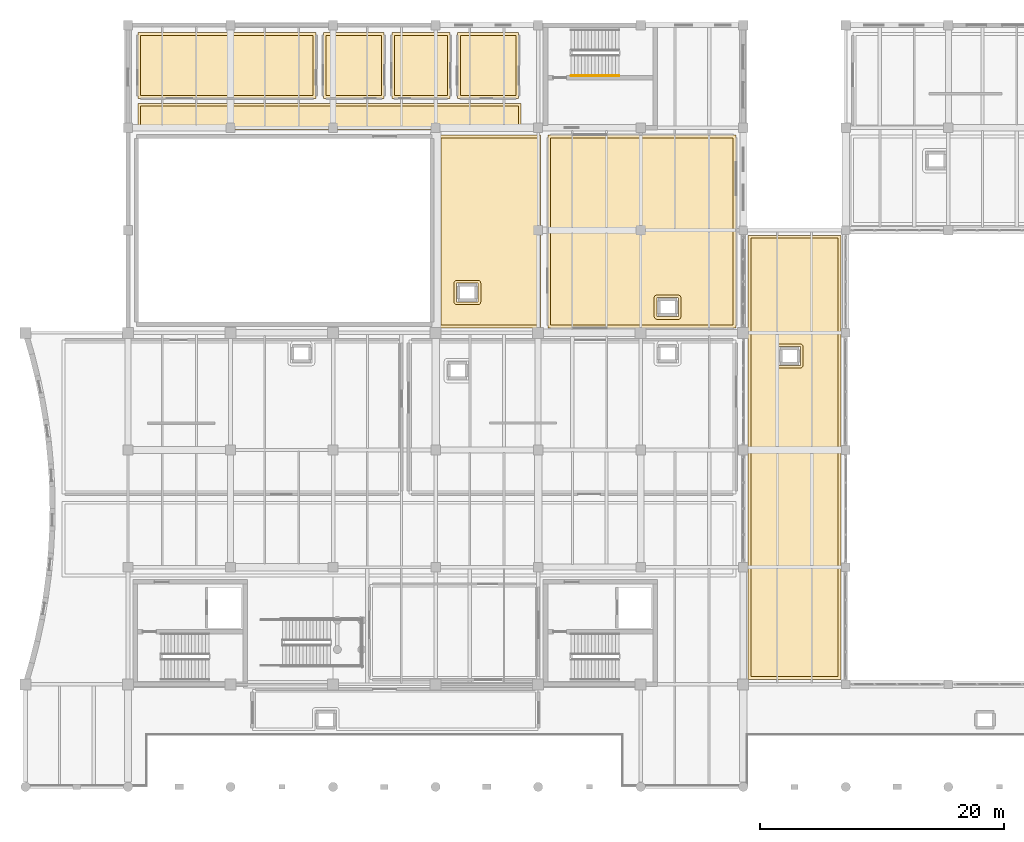
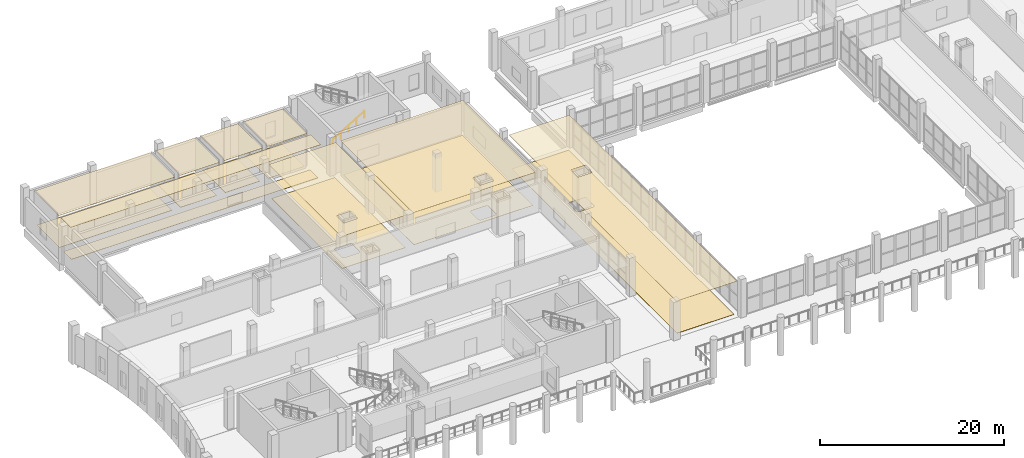
# One storey, part 59 of 66: 16 coverings, 1 railing.
"""IFC4 building model written with IfcOpenShell, lengths in metres."""

from ifc_helpers import new_model, si_unit, direction, frame, origin, origin_2d, place, context, subcontext, project, spatial, polyline, circle, outline, extrude, material, layer, layer_set, type_object, element, save


model = new_model("IFC4")

# Units and contexts
model_context = context("Model", 3, precision=1e-05, world=origin(), true_north=direction((0.0, 1.0)))
body_context = subcontext(model_context, "Body", "Model", "MODEL_VIEW")
ifc_project = project(units=[si_unit("LENGTHUNIT", "METRE"), si_unit("AREAUNIT", "SQUARE_METRE"), si_unit("VOLUMEUNIT", "CUBIC_METRE"), si_unit("PLANEANGLEUNIT", "RADIAN"), si_unit("MASSUNIT", "GRAM", prefix="KILO")], contexts=[model_context])

# Site, building, storey
site_placement = place(None, origin())
site = spatial("IfcSite", under=ifc_project, at=site_placement, CompositionType="ELEMENT")
building_placement = place(site_placement, origin())
building = spatial("IfcBuilding", under=site, at=building_placement, Name="Zulmaris Art Gallery", CompositionType="ELEMENT")
storey_placement = place(building_placement, frame((0.0, 0.0, 5.39990234375)))
storey = spatial("IfcBuildingStorey", under=building, at=storey_placement, Name="L01", CompositionType="ELEMENT", Elevation=5.39990234375)

# Coverings
ifc_material_1 = material(Name="Micro-Perforated Gypsum Acoustic Ceiling", Category="gypsum")
ifc_layer_1 = layer(ifc_material_1, 0.02490234375)
ifc_layer_set_1 = layer_set([ifc_layer_1], Name="Micro-Perforated Gypsum Acoustic Ceiling")
covering_type_1 = type_object("IfcCoveringType", Name="COV-CL01", PredefinedType="CEILING", material=ifc_layer_set_1)
covering_1_placement = place(storey_placement, frame((0.0, 0.0, 4.4501953125)))
element("IfcCovering", 1, at=covering_1_placement, inside=storey, type_object=covering_type_1, Name="L01 Learning Concourse acoustic ceiling", PredefinedType="CEILING", context=body_context, shape_type="SweptSolid", body=[
    extrude(outline(polyline([(57.81005859375, 66.590087890625), (66.18994140625, 66.590087890625), (66.18994140625, 50.81005859375), (57.81005859375, 50.81005859375), (57.81005859375, 66.590087890625)]), holes=[polyline([(59.321533203125, 52.94140625), (59.322509765625, 52.938720703125), (59.32373046875, 52.93603515625), (59.3251953125, 52.93359375), (59.326904296875, 52.93115234375), (59.3291015625, 52.928955078125), (59.3310546875, 52.927001953125), (59.33349609375, 52.92529296875), (59.3359375, 52.923828125), (59.338623046875, 52.922607421875), (59.34130859375, 52.92138671875), (59.34423828125, 52.9208984375), (59.34716796875, 52.92041015625), (59.35546875, 52.919921875), (61.044677734375, 52.919921875), (61.052978515625, 52.92041015625), (61.055908203125, 52.9208984375), (61.05859375, 52.92138671875), (61.061279296875, 52.922607421875), (61.06396484375, 52.923828125), (61.06640625, 52.92529296875), (61.06884765625, 52.927001953125), (61.071044921875, 52.928955078125), (61.072998046875, 52.93115234375), (61.07470703125, 52.93359375), (61.076171875, 52.93603515625), (61.077392578125, 52.938720703125), (61.07861328125, 52.94140625), (61.0791015625, 52.944091796875), (61.07958984375, 52.947021484375), (61.080078125, 52.955322265625), (61.080078125, 54.444580078125), (61.07958984375, 54.452880859375), (61.0791015625, 54.455810546875), (61.07861328125, 54.45849609375), (61.077392578125, 54.46142578125), (61.076171875, 54.464111328125), (61.07470703125, 54.466552734375), (61.072998046875, 54.468994140625), (61.071044921875, 54.470947265625), (61.06884765625, 54.472900390625), (61.06640625, 54.474609375), (61.06396484375, 54.476318359375), (61.061279296875, 54.4775390625), (61.05859375, 54.478515625), (61.055908203125, 54.479248046875), (61.052978515625, 54.4794921875), (61.044677734375, 54.47998046875), (59.35546875, 54.47998046875), (59.34716796875, 54.4794921875), (59.34423828125, 54.479248046875), (59.34130859375, 54.478515625), (59.338623046875, 54.4775390625), (59.3359375, 54.476318359375), (59.33349609375, 54.474609375), (59.3310546875, 54.472900390625), (59.3291015625, 54.470947265625), (59.326904296875, 54.468994140625), (59.3251953125, 54.466552734375), (59.32373046875, 54.464111328125), (59.322509765625, 54.46142578125), (59.321533203125, 54.45849609375), (59.32080078125, 54.455810546875), (59.3203125, 54.452880859375), (59.320068359375, 54.444580078125), (59.320068359375, 52.955322265625), (59.3203125, 52.947021484375), (59.32080078125, 52.944091796875), (59.321533203125, 52.94140625)])]), origin(), (0.0, 0.0, 1.0), 0.02978515625),
])
covering_2_placement = place(storey_placement, frame((0.0, 0.0, 4.4501953125)))
element("IfcCovering", 2, at=covering_2_placement, inside=storey, type_object=covering_type_1, Name="Art Reference Library & Reading Room acoustic ceiling", PredefinedType="CEILING", context=body_context, shape_type="SweptSolid", body=[
    extrude(outline(polyline([(66.81005859375, 66.590087890625), (82.18994140625, 66.590087890625), (82.18994140625, 50.81005859375), (66.81005859375, 50.81005859375), (66.81005859375, 66.590087890625)]), holes=[polyline([(75.741455078125, 53.278564453125), (75.738525390625, 53.277587890625), (75.736083984375, 53.276123046875), (75.7333984375, 53.274658203125), (75.731201171875, 53.27294921875), (75.72900390625, 53.27099609375), (75.72705078125, 53.268798828125), (75.725341796875, 53.2666015625), (75.723876953125, 53.263916015625), (75.722412109375, 53.261474609375), (75.721435546875, 53.258544921875), (75.720703125, 53.255859375), (75.720458984375, 53.2529296875), (75.719970703125, 53.24462890625), (75.719970703125, 51.75537109375), (75.720458984375, 51.7470703125), (75.720703125, 51.744140625), (75.721435546875, 51.741455078125), (75.722412109375, 51.738525390625), (75.723876953125, 51.736083984375), (75.725341796875, 51.7333984375), (75.72705078125, 51.731201171875), (75.72900390625, 51.72900390625), (75.731201171875, 51.72705078125), (75.7333984375, 51.725341796875), (75.736083984375, 51.723876953125), (75.738525390625, 51.722412109375), (75.741455078125, 51.721435546875), (75.744140625, 51.720703125), (75.7470703125, 51.720458984375), (75.75537109375, 51.719970703125), (77.444580078125, 51.719970703125), (77.452880859375, 51.720458984375), (77.455810546875, 51.720703125), (77.45849609375, 51.721435546875), (77.46142578125, 51.722412109375), (77.464111328125, 51.723876953125), (77.466552734375, 51.725341796875), (77.468994140625, 51.72705078125), (77.470947265625, 51.72900390625), (77.472900390625, 51.731201171875), (77.474609375, 51.7333984375), (77.476318359375, 51.736083984375), (77.4775390625, 51.738525390625), (77.478515625, 51.741455078125), (77.479248046875, 51.744140625), (77.4794921875, 51.7470703125), (77.47998046875, 51.75537109375), (77.47998046875, 53.24462890625), (77.4794921875, 53.2529296875), (77.479248046875, 53.255859375), (77.478515625, 53.258544921875), (77.4775390625, 53.261474609375), (77.476318359375, 53.263916015625), (77.474609375, 53.2666015625), (77.472900390625, 53.268798828125), (77.470947265625, 53.27099609375), (77.468994140625, 53.27294921875), (77.466552734375, 53.274658203125), (77.464111328125, 53.276123046875), (77.46142578125, 53.277587890625), (77.45849609375, 53.278564453125), (77.455810546875, 53.279296875), (77.452880859375, 53.279541015625), (77.444580078125, 53.280029296875), (75.75537109375, 53.280029296875), (75.7470703125, 53.279541015625), (75.744140625, 53.279296875), (75.741455078125, 53.278564453125)])]), origin(), (0.0, 0.0, 1.0), 0.02978515625),
])
covering_3_placement = place(storey_placement, frame((0.0, 0.0, 4.4501953125)))
element("IfcCovering", 3, at=covering_3_placement, inside=storey, type_object=covering_type_1, Name="L01 Seminar North Corridor acoustic ceiling", PredefinedType="CEILING", context=body_context, shape_type="SweptSolid", body=[
    extrude(outline(polyline([(33.2099609375, 69.18994140625), (64.590087890625, 69.18994140625), (64.590087890625, 67.010009765625), (33.2099609375, 67.010009765625), (33.2099609375, 69.18994140625)])), origin(), (0.0, 0.0, 1.0), 0.02978515625),
])
covering_4_placement = place(storey_placement, frame((0.0, 0.0, 4.4501953125)))
element("IfcCovering", 4, at=covering_4_placement, inside=storey, type_object=covering_type_1, Name="Digital Media Seminar Room acoustic ceiling", PredefinedType="CEILING", context=body_context, shape_type="SweptSolid", body=[
    extrude(outline(polyline([(33.2099609375, 74.989990234375), (47.7900390625, 74.989990234375), (47.7900390625, 69.610107421875), (33.2099609375, 69.610107421875), (33.2099609375, 74.989990234375)])), origin(), (0.0, 0.0, 1.0), 0.02978515625),
])
covering_5_placement = place(storey_placement, frame((0.0, 0.0, 4.4501953125)))
element("IfcCovering", 5, at=covering_5_placement, inside=storey, type_object=covering_type_1, Name="Level 01 Male WC acoustic ceiling", PredefinedType="CEILING", context=body_context, shape_type="SweptSolid", body=[
    extrude(outline(polyline([(48.409912109375, 74.989990234375), (53.389892578125, 74.989990234375), (53.389892578125, 69.610107421875), (48.409912109375, 69.610107421875), (48.409912109375, 74.989990234375)])), origin(), (0.0, 0.0, 1.0), 0.02978515625),
])
covering_6_placement = place(storey_placement, frame((0.0, 0.0, 4.4501953125)))
element("IfcCovering", 6, at=covering_6_placement, inside=storey, type_object=covering_type_1, Name="Level 01 Female WC acoustic ceiling", PredefinedType="CEILING", context=body_context, shape_type="SweptSolid", body=[
    extrude(outline(polyline([(54.010009765625, 74.989990234375), (58.7900390625, 74.989990234375), (58.7900390625, 69.610107421875), (54.010009765625, 69.610107421875), (54.010009765625, 74.989990234375)])), origin(), (0.0, 0.0, 1.0), 0.02978515625),
])
covering_7_placement = place(storey_placement, frame((0.0, 0.0, 4.4501953125)))
element("IfcCovering", 7, at=covering_7_placement, inside=storey, type_object=covering_type_1, Name="Level 01 Accessible WC acoustic ceiling", PredefinedType="CEILING", context=body_context, shape_type="SweptSolid", body=[
    extrude(outline(polyline([(59.409912109375, 74.989990234375), (64.389892578125, 74.989990234375), (64.389892578125, 69.610107421875), (59.409912109375, 69.610107421875), (59.409912109375, 74.989990234375)])), origin(), (0.0, 0.0, 1.0), 0.02978515625),
])
ifc_material_2 = material(Name="Luminous UV-Diffusing Stretched Gallery Ceiling", Category="gypsum")
ifc_layer_2 = layer(ifc_material_2, 0.034912109375)
ifc_layer_set_2 = layer_set([ifc_layer_2], Name="Luminous UV-Diffusing Stretched Gallery Ceiling")
covering_type_2 = type_object("IfcCoveringType", Name="COV-CL02", PredefinedType="CEILING", material=ifc_layer_set_2)
covering_8_placement = place(storey_placement, frame((0.0, 0.0, 4.4501953125)))
element("IfcCovering", 8, at=covering_8_placement, inside=storey, type_object=covering_type_2, Name="Bridge Prints & Drawings Gallery acoustic ceiling", PredefinedType="CEILING", context=body_context, shape_type="SweptSolid", body=[
    extrude(outline(polyline([(83.2099609375, 58.389892578125), (90.7900390625, 58.389892578125), (90.7900390625, 22.010009765625), (83.2099609375, 22.010009765625), (83.2099609375, 58.389892578125)]), holes=[polyline([(85.741455078125, 49.278564453125), (85.738525390625, 49.277587890625), (85.736083984375, 49.276123046875), (85.7333984375, 49.274658203125), (85.731201171875, 49.27294921875), (85.72900390625, 49.27099609375), (85.72705078125, 49.268798828125), (85.725341796875, 49.2666015625), (85.723876953125, 49.263916015625), (85.722412109375, 49.261474609375), (85.721435546875, 49.258544921875), (85.720703125, 49.255859375), (85.720458984375, 49.2529296875), (85.719970703125, 49.24462890625), (85.719970703125, 47.75537109375), (85.720458984375, 47.7470703125), (85.720703125, 47.744140625), (85.721435546875, 47.741455078125), (85.722412109375, 47.738525390625), (85.723876953125, 47.736083984375), (85.725341796875, 47.7333984375), (85.72705078125, 47.731201171875), (85.72900390625, 47.72900390625), (85.731201171875, 47.72705078125), (85.7333984375, 47.725341796875), (85.736083984375, 47.723876953125), (85.738525390625, 47.722412109375), (85.741455078125, 47.721435546875), (85.744140625, 47.720703125), (85.7470703125, 47.720458984375), (85.75537109375, 47.719970703125), (87.444580078125, 47.719970703125), (87.452880859375, 47.720458984375), (87.455810546875, 47.720703125), (87.45849609375, 47.721435546875), (87.46142578125, 47.722412109375), (87.464111328125, 47.723876953125), (87.466552734375, 47.725341796875), (87.468994140625, 47.72705078125), (87.470947265625, 47.72900390625), (87.472900390625, 47.731201171875), (87.474609375, 47.7333984375), (87.476318359375, 47.736083984375), (87.4775390625, 47.738525390625), (87.478515625, 47.741455078125), (87.479248046875, 47.744140625), (87.4794921875, 47.7470703125), (87.47998046875, 47.75537109375), (87.47998046875, 49.24462890625), (87.4794921875, 49.2529296875), (87.479248046875, 49.255859375), (87.478515625, 49.258544921875), (87.4775390625, 49.261474609375), (87.476318359375, 49.263916015625), (87.474609375, 49.2666015625), (87.472900390625, 49.268798828125), (87.470947265625, 49.27099609375), (87.468994140625, 49.27294921875), (87.466552734375, 49.274658203125), (87.464111328125, 49.276123046875), (87.46142578125, 49.277587890625), (87.45849609375, 49.278564453125), (87.455810546875, 49.279296875), (87.452880859375, 49.279541015625), (87.444580078125, 49.280029296875), (85.75537109375, 49.280029296875), (85.7470703125, 49.279541015625), (85.744140625, 49.279296875), (85.741455078125, 49.278564453125)])]), origin(), (0.0, 0.0, 1.0), 0.02978515625),
])
ifc_material_3 = material(Name="Honed Omani Limestone Terrazzo Flooring", Category="masonry")
ifc_layer_3 = layer(ifc_material_3, 0.0400390625)
ifc_layer_set_3 = layer_set([ifc_layer_3], Name="Honed Omani Limestone Terrazzo Flooring")
covering_type_3 = type_object("IfcCoveringType", Name="COV-FL01", PredefinedType="FLOORING", material=ifc_layer_set_3)
covering_9_placement = place(storey_placement, origin())
element("IfcCovering", 9, at=covering_9_placement, inside=storey, type_object=covering_type_3, Name="L01 Learning Concourse finish flooring", PredefinedType="FLOORING", context=body_context, shape_type="SweptSolid", body=[
    extrude(outline(polyline([(65.969970703125, 51.030029296875), (58.030029296875, 51.030029296875), (58.030029296875, 66.3701171875), (65.969970703125, 66.3701171875), (65.969970703125, 51.030029296875)]), holes=[polyline([(59.101318359375, 52.925537109375), (59.104736328125, 52.901123046875), (59.11083984375, 52.87744140625), (59.118896484375, 52.854248046875), (59.12939453125, 52.832275390625), (59.14208984375, 52.81103515625), (59.15673828125, 52.79150390625), (59.173095703125, 52.773193359375), (59.19140625, 52.756591796875), (59.211181640625, 52.7421875), (59.232177734375, 52.7294921875), (59.25439453125, 52.718994140625), (59.27734375, 52.710693359375), (59.30126953125, 52.704833984375), (59.325439453125, 52.701171875), (59.35009765625, 52.699951171875), (61.050048828125, 52.699951171875), (61.074462890625, 52.701171875), (61.098876953125, 52.704833984375), (61.12255859375, 52.710693359375), (61.145751953125, 52.718994140625), (61.167724609375, 52.7294921875), (61.18896484375, 52.7421875), (61.20849609375, 52.756591796875), (61.226806640625, 52.773193359375), (61.243408203125, 52.79150390625), (61.2578125, 52.81103515625), (61.2705078125, 52.832275390625), (61.281005859375, 52.854248046875), (61.289306640625, 52.87744140625), (61.295166015625, 52.901123046875), (61.298828125, 52.925537109375), (61.300048828125, 52.949951171875), (61.300048828125, 54.449951171875), (61.298828125, 54.474609375), (61.295166015625, 54.498779296875), (61.289306640625, 54.522705078125), (61.281005859375, 54.545654296875), (61.2705078125, 54.56787109375), (61.2578125, 54.5888671875), (61.243408203125, 54.608642578125), (61.226806640625, 54.626708984375), (61.20849609375, 54.643310546875), (61.18896484375, 54.657958984375), (61.167724609375, 54.67041015625), (61.145751953125, 54.680908203125), (61.12255859375, 54.689208984375), (61.098876953125, 54.6953125), (61.074462890625, 54.69873046875), (61.050048828125, 54.699951171875), (59.35009765625, 54.699951171875), (59.325439453125, 54.69873046875), (59.30126953125, 54.6953125), (59.27734375, 54.689208984375), (59.25439453125, 54.680908203125), (59.232177734375, 54.67041015625), (59.211181640625, 54.657958984375), (59.19140625, 54.643310546875), (59.173095703125, 54.626708984375), (59.15673828125, 54.608642578125), (59.14208984375, 54.5888671875), (59.12939453125, 54.56787109375), (59.118896484375, 54.545654296875), (59.11083984375, 54.522705078125), (59.104736328125, 54.498779296875), (59.101318359375, 54.474609375), (59.10009765625, 54.449951171875), (59.10009765625, 52.949951171875), (59.101318359375, 52.925537109375)])]), origin(), (0.0, 0.0, 1.0), 0.03515625),
])
covering_10_placement = place(storey_placement, origin())
element("IfcCovering", 10, at=covering_10_placement, inside=storey, type_object=covering_type_3, Name="Art Reference Library & Reading Room finish flooring", PredefinedType="FLOORING", context=body_context, shape_type="SweptSolid", body=[
    extrude(outline(polyline([(81.969970703125, 51.030029296875), (67.030029296875, 51.030029296875), (67.030029296875, 66.3701171875), (81.969970703125, 66.3701171875), (81.969970703125, 51.030029296875)]), holes=[polyline([(75.7255859375, 53.498779296875), (75.701171875, 53.4951171875), (75.677490234375, 53.4892578125), (75.654296875, 53.48095703125), (75.632080078125, 53.470458984375), (75.611083984375, 53.4580078125), (75.59130859375, 53.443359375), (75.5732421875, 53.4267578125), (75.556640625, 53.40869140625), (75.5419921875, 53.388916015625), (75.529541015625, 53.367919921875), (75.51904296875, 53.345703125), (75.5107421875, 53.322509765625), (75.5048828125, 53.298828125), (75.501220703125, 53.2744140625), (75.5, 53.25), (75.5, 51.75), (75.501220703125, 51.7255859375), (75.5048828125, 51.701171875), (75.5107421875, 51.677490234375), (75.51904296875, 51.654296875), (75.529541015625, 51.632080078125), (75.5419921875, 51.611083984375), (75.556640625, 51.59130859375), (75.5732421875, 51.5732421875), (75.59130859375, 51.556640625), (75.611083984375, 51.5419921875), (75.632080078125, 51.529541015625), (75.654296875, 51.51904296875), (75.677490234375, 51.5107421875), (75.701171875, 51.5048828125), (75.7255859375, 51.501220703125), (75.75, 51.5), (77.449951171875, 51.5), (77.474609375, 51.501220703125), (77.498779296875, 51.5048828125), (77.522705078125, 51.5107421875), (77.545654296875, 51.51904296875), (77.56787109375, 51.529541015625), (77.5888671875, 51.5419921875), (77.608642578125, 51.556640625), (77.626708984375, 51.5732421875), (77.643310546875, 51.59130859375), (77.657958984375, 51.611083984375), (77.67041015625, 51.632080078125), (77.680908203125, 51.654296875), (77.689208984375, 51.677490234375), (77.6953125, 51.701171875), (77.69873046875, 51.7255859375), (77.699951171875, 51.75), (77.699951171875, 53.25), (77.69873046875, 53.2744140625), (77.6953125, 53.298828125), (77.689208984375, 53.322509765625), (77.680908203125, 53.345703125), (77.67041015625, 53.367919921875), (77.657958984375, 53.388916015625), (77.643310546875, 53.40869140625), (77.626708984375, 53.4267578125), (77.608642578125, 53.443359375), (77.5888671875, 53.4580078125), (77.56787109375, 53.470458984375), (77.545654296875, 53.48095703125), (77.522705078125, 53.4892578125), (77.498779296875, 53.4951171875), (77.474609375, 53.498779296875), (77.449951171875, 53.5), (75.75, 53.5), (75.7255859375, 53.498779296875)])]), origin(), (0.0, 0.0, 1.0), 0.03515625),
])
covering_11_placement = place(storey_placement, origin())
element("IfcCovering", 11, at=covering_11_placement, inside=storey, type_object=covering_type_3, Name="L01 Seminar North Corridor finish flooring", PredefinedType="FLOORING", context=body_context, shape_type="SweptSolid", body=[
    extrude(outline(polyline([(64.3701171875, 67.22998046875), (33.429931640625, 67.22998046875), (33.429931640625, 68.969970703125), (64.3701171875, 68.969970703125), (64.3701171875, 67.22998046875)])), origin(), (0.0, 0.0, 1.0), 0.03515625),
])
covering_12_placement = place(storey_placement, origin())
element("IfcCovering", 12, at=covering_12_placement, inside=storey, type_object=covering_type_3, Name="Digital Media Seminar Room finish flooring", PredefinedType="FLOORING", context=body_context, shape_type="SweptSolid", body=[
    extrude(outline(polyline([(47.570068359375, 69.830078125), (33.429931640625, 69.830078125), (33.429931640625, 74.77001953125), (47.570068359375, 74.77001953125), (47.570068359375, 69.830078125)])), origin(), (0.0, 0.0, 1.0), 0.03515625),
])
covering_13_placement = place(storey_placement, origin())
element("IfcCovering", 13, at=covering_13_placement, inside=storey, type_object=covering_type_3, Name="Level 01 Male WC finish flooring", PredefinedType="FLOORING", context=body_context, shape_type="SweptSolid", body=[
    extrude(outline(polyline([(53.169921875, 69.830078125), (48.6298828125, 69.830078125), (48.6298828125, 74.77001953125), (53.169921875, 74.77001953125), (53.169921875, 69.830078125)])), origin(), (0.0, 0.0, 1.0), 0.03515625),
])
covering_14_placement = place(storey_placement, origin())
element("IfcCovering", 14, at=covering_14_placement, inside=storey, type_object=covering_type_3, Name="Level 01 Female WC finish flooring", PredefinedType="FLOORING", context=body_context, shape_type="SweptSolid", body=[
    extrude(outline(polyline([(58.570068359375, 69.830078125), (54.22998046875, 69.830078125), (54.22998046875, 74.77001953125), (58.570068359375, 74.77001953125), (58.570068359375, 69.830078125)])), origin(), (0.0, 0.0, 1.0), 0.03515625),
])
covering_15_placement = place(storey_placement, origin())
element("IfcCovering", 15, at=covering_15_placement, inside=storey, type_object=covering_type_3, Name="Level 01 Accessible WC finish flooring", PredefinedType="FLOORING", context=body_context, shape_type="SweptSolid", body=[
    extrude(outline(polyline([(64.169921875, 69.830078125), (59.6298828125, 69.830078125), (59.6298828125, 74.77001953125), (64.169921875, 74.77001953125), (64.169921875, 69.830078125)])), origin(), (0.0, 0.0, 1.0), 0.03515625),
])
ifc_material_4 = material(Name="Oiled European Oak Gallery Parquet Flooring", Category="timber")
ifc_layer_4 = layer(ifc_material_4, 0.030029296875)
ifc_layer_set_4 = layer_set([ifc_layer_4], Name="Oiled European Oak Gallery Parquet Flooring")
covering_type_4 = type_object("IfcCoveringType", Name="COV-FL02", PredefinedType="FLOORING", material=ifc_layer_set_4)
covering_16_placement = place(storey_placement, origin())
element("IfcCovering", 16, at=covering_16_placement, inside=storey, type_object=covering_type_4, Name="Bridge Prints & Drawings Gallery finish flooring", PredefinedType="FLOORING", context=body_context, shape_type="SweptSolid", body=[
    extrude(outline(polyline([(90.570068359375, 22.22998046875), (83.429931640625, 22.22998046875), (83.429931640625, 58.169921875), (90.570068359375, 58.169921875), (90.570068359375, 22.22998046875)]), holes=[polyline([(85.7255859375, 49.498779296875), (85.701171875, 49.4951171875), (85.677490234375, 49.4892578125), (85.654296875, 49.48095703125), (85.632080078125, 49.470458984375), (85.611083984375, 49.4580078125), (85.59130859375, 49.443359375), (85.5732421875, 49.4267578125), (85.556640625, 49.40869140625), (85.5419921875, 49.388916015625), (85.529541015625, 49.367919921875), (85.51904296875, 49.345703125), (85.5107421875, 49.322509765625), (85.5048828125, 49.298828125), (85.501220703125, 49.2744140625), (85.5, 49.25), (85.5, 47.75), (85.501220703125, 47.7255859375), (85.5048828125, 47.701171875), (85.5107421875, 47.677490234375), (85.51904296875, 47.654296875), (85.529541015625, 47.632080078125), (85.5419921875, 47.611083984375), (85.556640625, 47.59130859375), (85.5732421875, 47.5732421875), (85.59130859375, 47.556640625), (85.611083984375, 47.5419921875), (85.632080078125, 47.529541015625), (85.654296875, 47.51904296875), (85.677490234375, 47.5107421875), (85.701171875, 47.5048828125), (85.7255859375, 47.501220703125), (85.75, 47.5), (87.449951171875, 47.5), (87.474609375, 47.501220703125), (87.498779296875, 47.5048828125), (87.522705078125, 47.5107421875), (87.545654296875, 47.51904296875), (87.56787109375, 47.529541015625), (87.5888671875, 47.5419921875), (87.608642578125, 47.556640625), (87.626708984375, 47.5732421875), (87.643310546875, 47.59130859375), (87.657958984375, 47.611083984375), (87.67041015625, 47.632080078125), (87.680908203125, 47.654296875), (87.689208984375, 47.677490234375), (87.6953125, 47.701171875), (87.69873046875, 47.7255859375), (87.699951171875, 47.75), (87.699951171875, 49.25), (87.69873046875, 49.2744140625), (87.6953125, 49.298828125), (87.689208984375, 49.322509765625), (87.680908203125, 49.345703125), (87.67041015625, 49.367919921875), (87.657958984375, 49.388916015625), (87.643310546875, 49.40869140625), (87.626708984375, 49.4267578125), (87.608642578125, 49.443359375), (87.5888671875, 49.4580078125), (87.56787109375, 49.470458984375), (87.545654296875, 49.48095703125), (87.522705078125, 49.4892578125), (87.498779296875, 49.4951171875), (87.474609375, 49.498779296875), (87.449951171875, 49.5), (85.75, 49.5), (85.7255859375, 49.498779296875)])]), origin(), (0.0, 0.0, 1.0), 0.03515625),
])

# Railing
ifc_material_5 = material(Name="Brushed Bronze Handrail", Category="steel")
ifc_layer_5 = layer(ifc_material_5, 0.048095703125)
ifc_layer_set_5 = layer_set([ifc_layer_5], Name="Brushed Bronze Handrail")
railing_type = type_object("IfcRailingType", Name="RAIL-STHND", PredefinedType="HANDRAIL", material=ifc_layer_set_5)
railing_placement = place(storey_placement, frame((68.699951171875, 71.4599609375, 0.170166015625)))
element("IfcRailing", 17, at=railing_placement, inside=storey, type_object=railing_type, Name="L01 ST7 stair handrail 1", PredefinedType="HANDRAIL", context=body_context, shape_type="SweptSolid", body=[
    extrude(circle(Radius=0.02392578125, at=origin_2d()), frame((0.0, 0.0, 0.8759765625), z_axis=(0.854808600491, 0.0, 0.518943403973), x_axis=(0.0, 1.0, 0.0)), (0.0, 0.0, 1.0), 4.5859375),
    extrude(circle(Radius=0.02099609375, at=origin_2d()), origin(), (0.0, 0.0, 1.0), 0.851806640625),
    extrude(circle(Radius=0.02099609375, at=origin_2d()), frame((0.97998046875, 0.0, 0.594970703125)), (0.0, 0.0, 1.0), 0.851806640625),
    extrude(circle(Radius=0.02099609375, at=origin_2d()), frame((1.9599609375, 0.0, 1.18994140625)), (0.0, 0.0, 1.0), 0.851806640625),
    extrude(circle(Radius=0.02099609375, at=origin_2d()), frame((2.940185546875, 0.0, 1.784912109375)), (0.0, 0.0, 1.0), 0.851806640625),
    extrude(circle(Radius=0.02099609375, at=origin_2d()), frame((3.920166015625, 0.0, 2.3798828125)), (0.0, 0.0, 1.0), 0.851806640625),
])

save(model, "model.ifc")
